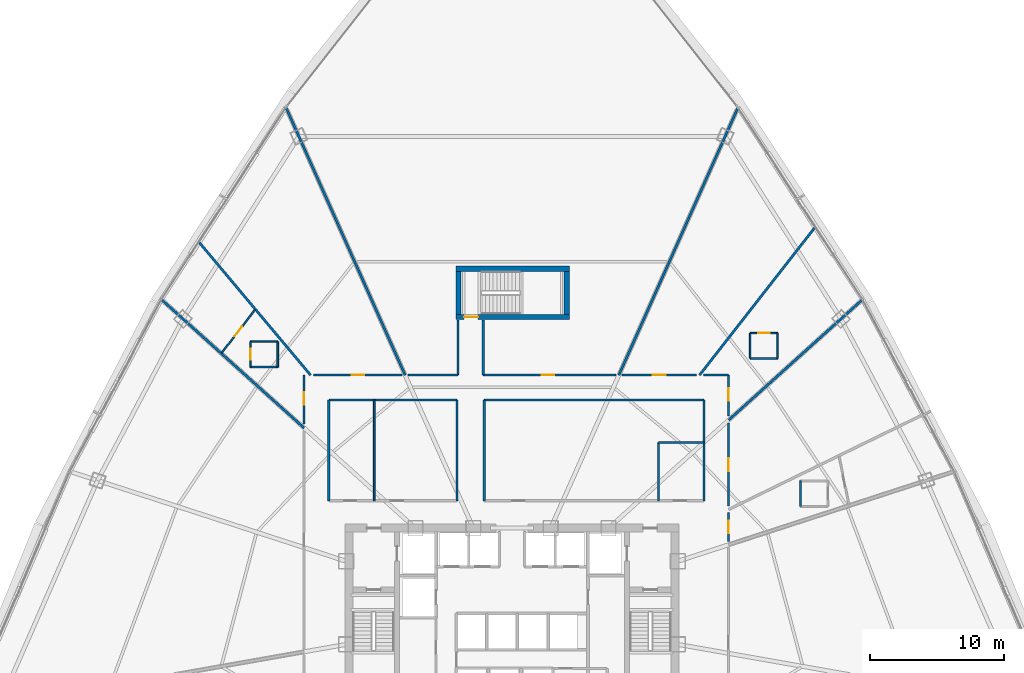
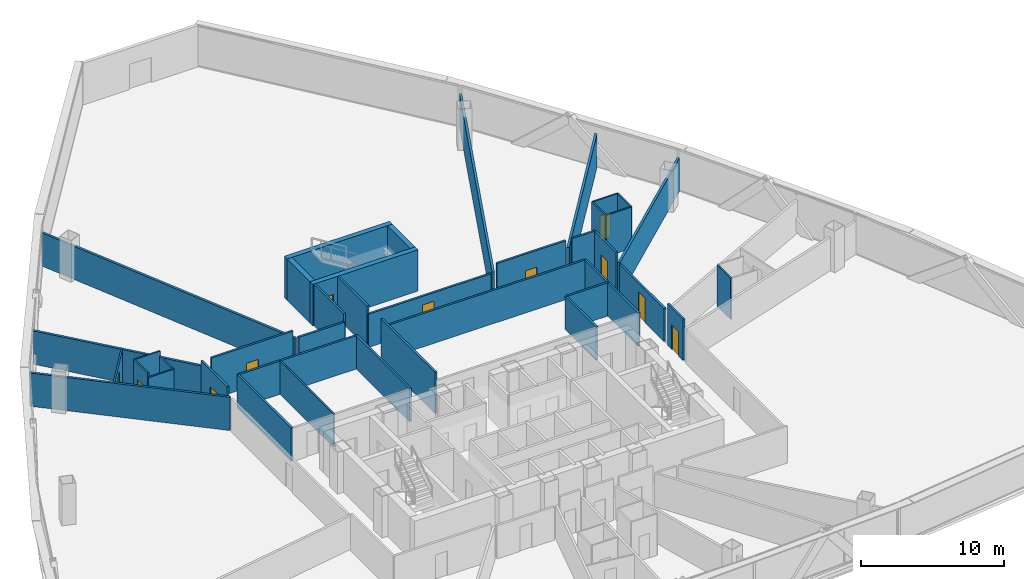
# One storey, part 31 of 37: 40 walls, 11 doors, 11 openings.
"""IFC4 building model written with IfcOpenShell, lengths in metres."""

from ifc_helpers import new_model, si_unit, direction, frame, frame_2d, origin, origin_with_axes, place, context, subcontext, project, spatial, rectangle, extrude, source, transform, mapped, material, layer, layer_set, type_object, element, fill, save


model = new_model("IFC4")

# Units and contexts
model_context = context("Model", 3, precision=1e-05, world=origin(), true_north=direction((0.0, 1.0)))
body_context = subcontext(model_context, "Body", "Model", "MODEL_VIEW")
ifc_project = project(units=[si_unit("LENGTHUNIT", "METRE"), si_unit("AREAUNIT", "SQUARE_METRE"), si_unit("VOLUMEUNIT", "CUBIC_METRE"), si_unit("PLANEANGLEUNIT", "RADIAN"), si_unit("MASSUNIT", "GRAM", prefix="KILO"), si_unit("THERMODYNAMICTEMPERATUREUNIT", "KELVIN"), si_unit("POWERUNIT", "WATT")], contexts=[model_context])

# Site, building, storey
site_placement = place(None, origin())
site = spatial("IfcSite", under=ifc_project, at=site_placement, CompositionType="ELEMENT")
building_placement = place(site_placement, origin())
building = spatial("IfcBuilding", under=site, at=building_placement, Name="Yunzhuo Pagoda Commons", CompositionType="ELEMENT")
storey_placement = place(building_placement, frame((0.0, 0.0, 84.97998046875)))
storey = spatial("IfcBuildingStorey", under=building, at=storey_placement, Name="L21", CompositionType="ELEMENT", Elevation=84.97998046875)

# Walls
ifc_material_1 = material(Name="Gypsum plasterboard on acoustic stud")
ifc_layer_1 = layer(ifc_material_1, 0.159912109375)
ifc_layer_set_1 = layer_set([ifc_layer_1], Name="Gypsum plasterboard on acoustic stud")
wall_type_1 = type_object("IfcWallType", Name="W-COR1 Tower Rated Corridor Wall 160", PredefinedType="PARTITIONING", material=ifc_layer_set_1)
wall_1_placement = place(storey_placement, frame((34.300048828125, 49.800048828125, 0.0), z_axis=(0.0, 0.0, 1.0), x_axis=(1.0, 0.0, 0.0)))
element("IfcWall", 1, at=wall_1_placement, inside=storey, type_object=wall_type_1, Name="L21 interior wall IW-L21-ISLWN", PredefinedType="PARTITIONING", context=body_context, shape_type="SweptSolid", body=[
    extrude(rectangle(XDim=9.579833984375, YDim=0.159912109375, at=frame_2d((4.7900390625, 0.0))), origin(), (0.0, 0.0, 1.0), 2.840087890625),
])
for number, where, z_axis, x_axis, name in (
    (2, (34.300048828125, 42.25, 0.0), (0.0, 0.0, 1.0), (0.0, 1.0, 0.0), "L21 interior wall IW-L21-ISLWW"),
    (3, (43.8798828125, 42.25, 0.0), (0.0, 0.0, 1.0), (0.0, 1.0, 0.0), "L21 interior wall IW-L21-ISLWE"),
):
    element("IfcWall", number, at=place(storey_placement, frame(where, z_axis=z_axis, x_axis=x_axis)), inside=storey, type_object=wall_type_1, Name=name, PredefinedType="PARTITIONING", context=body_context, shape_type="SweptSolid", body=[
        extrude(rectangle(XDim=7.550048828125, YDim=0.159912109375, at=frame_2d((3.77490234375, 0.0))), origin(), (0.0, 0.0, 1.0), 2.840087890625),
    ])
wall_2_placement = place(storey_placement, frame((45.919921875, 49.800048828125, 0.0), z_axis=(0.0, 0.0, 1.0), x_axis=(1.0, 0.0, 0.0)))
element("IfcWall", 4, at=wall_2_placement, inside=storey, type_object=wall_type_1, Name="L21 interior wall IW-L21-ISLEN", PredefinedType="PARTITIONING", context=body_context, shape_type="SweptSolid", body=[
    extrude(rectangle(XDim=16.43017578125, YDim=0.159912109375, at=frame_2d((8.215087890625, 0.0))), origin(), (0.0, 0.0, 1.0), 2.840087890625),
])
wall_3_placement = place(storey_placement, frame((45.919921875, 42.25, 0.0), z_axis=(0.0, 0.0, 1.0), x_axis=(0.0, 1.0, 0.0)))
element("IfcWall", 5, at=wall_3_placement, inside=storey, type_object=wall_type_1, Name="L21 interior wall IW-L21-ISLEW", PredefinedType="PARTITIONING", context=body_context, shape_type="SweptSolid", body=[
    extrude(rectangle(XDim=7.550048828125, YDim=0.159912109375, at=frame_2d((3.77490234375, 0.0))), origin(), (0.0, 0.0, 1.0), 3.5400390625),
])
wall_4_placement = place(storey_placement, frame((62.35009765625, 42.25, 0.0), z_axis=(0.0, 0.0, 1.0), x_axis=(0.0, 1.0, 0.0)))
element("IfcWall", 6, at=wall_4_placement, inside=storey, type_object=wall_type_1, Name="L21 interior wall IW-L21-ISLEE", PredefinedType="PARTITIONING", context=body_context, shape_type="SweptSolid", body=[
    extrude(rectangle(XDim=7.550048828125, YDim=0.159912109375, at=frame_2d((3.77490234375, 0.0))), origin(), (0.0, 0.0, 1.0), 2.840087890625),
])
wall_5_placement = place(storey_placement, frame((58.949951171875, 42.25, 0.0), z_axis=(0.0, 0.0, 1.0), x_axis=(0.0, 1.0, 0.0)))
element("IfcWall", 7, at=wall_5_placement, inside=storey, type_object=wall_type_1, Name="L21 interior wall IW-L21-ISL2W", PredefinedType="PARTITIONING", context=body_context, shape_type="SweptSolid", body=[
    extrude(rectangle(XDim=4.35009765625, YDim=0.159912109375, at=frame_2d((2.175048828125, 0.0))), origin(), (0.0, 0.0, 1.0), 2.840087890625),
])
wall_6_placement = place(storey_placement, frame((58.949951171875, 46.60009765625, 0.0), z_axis=(0.0, 0.0, 1.0), x_axis=(1.0, 0.0, 0.0)))
element("IfcWall", 8, at=wall_6_placement, inside=storey, type_object=wall_type_1, Name="L21 interior wall IW-L21-ISL2N", PredefinedType="PARTITIONING", context=body_context, shape_type="SweptSolid", body=[
    extrude(rectangle(XDim=3.400146484375, YDim=0.159912109375, at=frame_2d((1.7001953125, 0.0))), origin(), (0.0, 0.0, 1.0), 2.840087890625),
])

# Wall, opening, door
wall_7_placement = place(storey_placement, frame((32.449951171875, 47.997314453125, 0.0), z_axis=(0.0, 0.0, 1.0), x_axis=(0.0, 1.0, 0.0)))
wall_7 = element("IfcWall", 9, at=wall_7_placement, inside=storey, type_object=wall_type_1, Name="L21 interior wall IW-L21-CWL03", PredefinedType="PARTITIONING", context=body_context, shape_type="SweptSolid", body=[
    extrude(rectangle(XDim=3.652587890625, YDim=0.159912109375, at=frame_2d((1.826171875, 0.0))), origin(), (0.0, 0.0, 1.0), 3.5400390625),
])
opening_1_placement = place(wall_7_placement, frame((1.433349609375, 0.0, 0.0)))
opening_1 = element("IfcOpeningElement", 10, at=opening_1_placement, cuts=wall_7, Name="Opening D-06", PredefinedType="OPENING", context=body_context, shape_type="SweptSolid", body=[
    extrude(rectangle(XDim=0.949951171875, YDim=2.10009765625, at=frame_2d((0.47509765625, 1.050048828125))), frame((0.0, 0.08984375, 0.0), z_axis=(0.0, -1.0, 0.0), x_axis=(1.0, 0.0, 0.0)), (0.0, 0.0, 1.0), 0.179931640625),
])
ifc_material_2 = material(Name="Galvanized fire-resisting metal leaf")
door_type_1 = type_object("IfcDoorType", Name="D-06 Co-Living Suite Entrance Fire Door 950x2100", OperationType="NOTDEFINED", PredefinedType="DOOR", material=ifc_material_2)
shared_shape_1 = source(origin(), body_context, "Body", "SweptSolid", [
    extrude(rectangle(XDim=0.949951171875, YDim=2.10009765625, at=frame_2d((0.47509765625, 1.050048828125))), frame((0.0, 0.02490234375, 0.0), z_axis=(0.0, -1.0, 0.0), x_axis=(1.0, 0.0, 0.0)), (0.0, 0.0, 1.0), 0.050048828125),
])
door_1_placement = place(opening_1_placement, origin_with_axes())
door_1 = element("IfcDoor", 11, at=door_1_placement, inside=storey, type_object=door_type_1, Name="L21 unit 07 entrance door", OperationType="SINGLE_SWING_LEFT", OverallHeight=2.10009765625, OverallWidth=0.949951171875, PredefinedType="DOOR", context=body_context, shape_type="MappedRepresentation", body=[
    mapped(shared_shape_1, transform((0.0, 0.0, 0.0), scale=1.0)),
])
fill(opening_1, door_1)

wall_8_placement = place(storey_placement, frame((33.158203125, 51.64990234375, 0.0), z_axis=(0.0, 0.0, 1.0), x_axis=(1.0, 0.0, 0.0)))
wall_8 = element("IfcWall", 12, at=wall_8_placement, inside=storey, type_object=wall_type_1, Name="L21 interior wall IW-L21-CWL04", PredefinedType="PARTITIONING", context=body_context, shape_type="SweptSolid", body=[
    extrude(rectangle(XDim=6.609130859375, YDim=0.159912109375, at=frame_2d((3.3046875, 0.0))), origin(), (0.0, 0.0, 1.0), 3.5400390625),
])
opening_2_placement = place(wall_8_placement, frame((2.840087890625, 0.0, 0.0)))
opening_2 = element("IfcOpeningElement", 13, at=opening_2_placement, cuts=wall_8, Name="Opening D-06", PredefinedType="OPENING", context=body_context, shape_type="SweptSolid", body=[
    extrude(rectangle(XDim=0.949951171875, YDim=2.10009765625, at=frame_2d((0.47509765625, 1.050048828125))), frame((0.0, 0.08984375, 0.0), z_axis=(0.0, -1.0, 0.0), x_axis=(1.0, 0.0, 0.0)), (0.0, 0.0, 1.0), 0.179931640625),
])
door_2_placement = place(opening_2_placement, origin_with_axes())
door_2 = element("IfcDoor", 14, at=door_2_placement, inside=storey, type_object=door_type_1, Name="L21 unit 06 entrance door", OperationType="SINGLE_SWING_RIGHT", OverallHeight=2.10009765625, OverallWidth=0.949951171875, PredefinedType="DOOR", context=body_context, shape_type="MappedRepresentation", body=[
    mapped(shared_shape_1, transform((0.0, 0.0, 0.0), scale=1.0)),
])
fill(opening_2, door_2)

# Walls
wall_9_placement = place(storey_placement, frame((40.227783203125, 51.64990234375, 0.0), z_axis=(0.0, 0.0, 1.0), x_axis=(1.0, 0.0, 0.0)))
element("IfcWall", 15, at=wall_9_placement, inside=storey, type_object=wall_type_1, Name="L21 interior wall IW-L21-CWL05", PredefinedType="PARTITIONING", context=body_context, shape_type="SweptSolid", body=[
    extrude(rectangle(XDim=3.72216796875, YDim=0.159912109375, at=frame_2d((1.861083984375, 0.0))), origin(), (0.0, 0.0, 1.0), 2.840087890625),
])
for number, where, z_axis, x_axis, name in (
    (16, (43.949951171875, 51.64990234375, 0.0), (0.0, 0.0, 1.0), (0.0, 1.0, 0.0), "L21 interior wall IW-L21-CWL06"),
    (17, (45.85009765625, 55.780029296875, 0.0), (0.0, 0.0, 1.0), (0.0, -1.0, 0.0), "L21 interior wall IW-L21-CWL07"),
):
    element("IfcWall", number, at=place(storey_placement, frame(where, z_axis=z_axis, x_axis=x_axis)), inside=storey, type_object=wall_type_1, Name=name, PredefinedType="PARTITIONING", context=body_context, shape_type="SweptSolid", body=[
        extrude(rectangle(XDim=4.130126953125, YDim=0.159912109375, at=frame_2d((2.06494140625, 0.0))), origin(), (0.0, 0.0, 1.0), 3.5400390625),
    ])

# Wall, opening, door
wall_10_placement = place(storey_placement, frame((45.85009765625, 51.64990234375, 0.0), z_axis=(0.0, 0.0, 1.0), x_axis=(1.0, 0.0, 0.0)))
wall_10 = element("IfcWall", 18, at=wall_10_placement, inside=storey, type_object=wall_type_1, Name="L21 interior wall IW-L21-CWL08", PredefinedType="PARTITIONING", context=body_context, shape_type="SweptSolid", body=[
    extrude(rectangle(XDim=9.922119140625, YDim=0.159912109375, at=frame_2d((4.9609375, 0.0))), origin(), (0.0, 0.0, 1.0), 2.840087890625),
])
opening_3_placement = place(wall_10_placement, frame((4.365966796875, 0.0, 0.0)))
opening_3 = element("IfcOpeningElement", 19, at=opening_3_placement, cuts=wall_10, Name="Opening D-06", PredefinedType="OPENING", context=body_context, shape_type="SweptSolid", body=[
    extrude(rectangle(XDim=0.949951171875, YDim=2.10009765625, at=frame_2d((0.47509765625, 1.050048828125))), frame((0.0, 0.08984375, 0.0), z_axis=(0.0, -1.0, 0.0), x_axis=(1.0, 0.0, 0.0)), (0.0, 0.0, 1.0), 0.179931640625),
])
door_3_placement = place(opening_3_placement, origin_with_axes())
door_3 = element("IfcDoor", 20, at=door_3_placement, inside=storey, type_object=door_type_1, Name="L21 unit 05 entrance door", OperationType="SINGLE_SWING_LEFT", OverallHeight=2.10009765625, OverallWidth=0.949951171875, PredefinedType="DOOR", context=body_context, shape_type="MappedRepresentation", body=[
    mapped(shared_shape_1, transform((0.0, 0.0, 0.0), scale=1.0)),
])
fill(opening_3, door_3)

wall_11_placement = place(storey_placement, frame((56.232666015625, 51.64990234375, 0.0), z_axis=(0.0, 0.0, 1.0), x_axis=(1.0, 0.0, 0.0)))
wall_11 = element("IfcWall", 21, at=wall_11_placement, inside=storey, type_object=wall_type_1, Name="L21 interior wall IW-L21-CWL09", PredefinedType="PARTITIONING", context=body_context, shape_type="SweptSolid", body=[
    extrude(rectangle(XDim=5.571533203125, YDim=0.159912109375, at=frame_2d((2.78564453125, 0.0))), origin(), (0.0, 0.0, 1.0), 3.5400390625),
])
opening_4_placement = place(wall_11_placement, frame((2.30029296875, 0.0, 0.0)))
opening_4 = element("IfcOpeningElement", 22, at=opening_4_placement, cuts=wall_11, Name="Opening D-06", PredefinedType="OPENING", context=body_context, shape_type="SweptSolid", body=[
    extrude(rectangle(XDim=0.949951171875, YDim=2.10009765625, at=frame_2d((0.47509765625, 1.050048828125))), frame((0.0, 0.08984375, 0.0), z_axis=(0.0, -1.0, 0.0), x_axis=(1.0, 0.0, 0.0)), (0.0, 0.0, 1.0), 0.179931640625),
])
door_4_placement = place(opening_4_placement, origin_with_axes())
door_4 = element("IfcDoor", 23, at=door_4_placement, inside=storey, type_object=door_type_1, Name="L21 unit 04 entrance door", OperationType="SINGLE_SWING_RIGHT", OverallHeight=2.10009765625, OverallWidth=0.949951171875, PredefinedType="DOOR", context=body_context, shape_type="MappedRepresentation", body=[
    mapped(shared_shape_1, transform((0.0, 0.0, 0.0), scale=1.0)),
])
fill(opening_4, door_4)

# Wall
wall_12_placement = place(storey_placement, frame((62.30322265625, 51.64990234375, 0.0), z_axis=(0.0, 0.0, 1.0), x_axis=(1.0, 0.0, 0.0)))
element("IfcWall", 24, at=wall_12_placement, inside=storey, type_object=wall_type_1, Name="L21 interior wall IW-L21-CWL10", PredefinedType="PARTITIONING", context=body_context, shape_type="SweptSolid", body=[
    extrude(rectangle(XDim=1.896728515625, YDim=0.159912109375, at=frame_2d((0.9482421875, 0.0))), origin(), (0.0, 0.0, 1.0), 3.5400390625),
])

# Wall, opening, door
wall_13_placement = place(storey_placement, frame((64.199951171875, 51.64990234375, 0.0), z_axis=(0.0, 0.0, 1.0), x_axis=(0.0, -1.0, 0.0)))
wall_13 = element("IfcWall", 25, at=wall_13_placement, inside=storey, type_object=wall_type_1, Name="L21 interior wall IW-L21-CWL11", PredefinedType="PARTITIONING", context=body_context, shape_type="SweptSolid", body=[
    extrude(rectangle(XDim=3.0673828125, YDim=0.159912109375, at=frame_2d((1.53369140625, 0.0))), origin(), (0.0, 0.0, 1.0), 3.5400390625),
])
opening_5_placement = place(wall_13_placement, frame((0.976806640625, 0.0, 0.0)))
opening_5 = element("IfcOpeningElement", 26, at=opening_5_placement, cuts=wall_13, Name="Opening D-06", PredefinedType="OPENING", context=body_context, shape_type="SweptSolid", body=[
    extrude(rectangle(XDim=0.949951171875, YDim=2.10009765625, at=frame_2d((0.47509765625, 1.050048828125))), frame((0.0, 0.08984375, 0.0), z_axis=(0.0, -1.0, 0.0), x_axis=(1.0, 0.0, 0.0)), (0.0, 0.0, 1.0), 0.179931640625),
])
door_5_placement = place(opening_5_placement, origin_with_axes())
door_5 = element("IfcDoor", 27, at=door_5_placement, inside=storey, type_object=door_type_1, Name="L21 unit 03 entrance door", OperationType="SINGLE_SWING_LEFT", OverallHeight=2.10009765625, OverallWidth=0.949951171875, PredefinedType="DOOR", context=body_context, shape_type="MappedRepresentation", body=[
    mapped(shared_shape_1, transform((0.0, 0.0, 0.0), scale=1.0)),
])
fill(opening_5, door_5)

wall_14_placement = place(storey_placement, frame((64.199951171875, 48.06689453125, 0.0), z_axis=(0.0, 0.0, 1.0), x_axis=(0.0, -1.0, 0.0)))
wall_14 = element("IfcWall", 28, at=wall_14_placement, inside=storey, type_object=wall_type_1, Name="L21 interior wall IW-L21-CWL12", PredefinedType="PARTITIONING", context=body_context, shape_type="SweptSolid", body=[
    extrude(rectangle(XDim=6.220703125, YDim=0.159912109375, at=frame_2d((3.1103515625, 0.0))), origin(), (0.0, 0.0, 1.0), 2.840087890625),
])
opening_6_placement = place(wall_14_placement, frame((2.64794921875, 0.0, 0.0)))
opening_6 = element("IfcOpeningElement", 29, at=opening_6_placement, cuts=wall_14, Name="Opening D-06", PredefinedType="OPENING", context=body_context, shape_type="SweptSolid", body=[
    extrude(rectangle(XDim=0.949951171875, YDim=2.10009765625, at=frame_2d((0.47509765625, 1.050048828125))), frame((0.0, 0.08984375, 0.0), z_axis=(0.0, -1.0, 0.0), x_axis=(1.0, 0.0, 0.0)), (0.0, 0.0, 1.0), 0.179931640625),
])
door_6_placement = place(opening_6_placement, origin_with_axes())
door_6 = element("IfcDoor", 30, at=door_6_placement, inside=storey, type_object=door_type_1, Name="L21 unit 02 entrance door", OperationType="SINGLE_SWING_RIGHT", OverallHeight=2.10009765625, OverallWidth=0.949951171875, PredefinedType="DOOR", context=body_context, shape_type="MappedRepresentation", body=[
    mapped(shared_shape_1, transform((0.0, 0.0, 0.0), scale=1.0)),
])
fill(opening_6, door_6)

wall_15_placement = place(storey_placement, frame((64.199951171875, 41.381591796875, 0.0), z_axis=(0.0, 0.0, 1.0), x_axis=(0.0, -1.0, 0.0)))
wall_15 = element("IfcWall", 31, at=wall_15_placement, inside=storey, type_object=wall_type_1, Name="L21 interior wall IW-L21-CWL13", PredefinedType="PARTITIONING", context=body_context, shape_type="SweptSolid", body=[
    extrude(rectangle(XDim=2.1865234375, YDim=0.159912109375, at=frame_2d((1.09326171875, 0.0))), origin(), (0.0, 0.0, 1.0), 3.5400390625),
])
opening_7_placement = place(wall_15_placement, frame((0.6240234375, 0.0, 0.0)))
opening_7 = element("IfcOpeningElement", 32, at=opening_7_placement, cuts=wall_15, Name="Opening D-06", PredefinedType="OPENING", context=body_context, shape_type="SweptSolid", body=[
    extrude(rectangle(XDim=0.949951171875, YDim=2.10009765625, at=frame_2d((0.47509765625, 1.050048828125))), frame((0.0, 0.08984375, 0.0), z_axis=(0.0, -1.0, 0.0), x_axis=(1.0, 0.0, 0.0)), (0.0, 0.0, 1.0), 0.179931640625),
])
door_7_placement = place(opening_7_placement, origin_with_axes())
door_7 = element("IfcDoor", 33, at=door_7_placement, inside=storey, type_object=door_type_1, Name="L21 unit 01 entrance door", OperationType="SINGLE_SWING_LEFT", OverallHeight=2.10009765625, OverallWidth=0.949951171875, PredefinedType="DOOR", context=body_context, shape_type="MappedRepresentation", body=[
    mapped(shared_shape_1, transform((0.0, 0.0, 0.0), scale=1.0)),
])
fill(opening_7, door_7)

# Walls
ifc_layer_2 = layer(ifc_material_1, 0.1201171875)
ifc_layer_set_2 = layer_set([ifc_layer_2], Name="Gypsum plasterboard on acoustic stud")
wall_type_2 = type_object("IfcWallType", Name="W-PRT1 Suite & Bathroom Partition 120", PredefinedType="PARTITIONING", material=ifc_layer_set_2)
wall_16_placement = place(storey_placement, frame((37.699951171875, 42.25, 0.0), z_axis=(0.0, 0.0, 1.0), x_axis=(0.0, 1.0, 0.0)))
element("IfcWall", 34, at=wall_16_placement, inside=storey, type_object=wall_type_2, Name="L21 interior wall IW-L21-ISLW1", PredefinedType="PARTITIONING", context=body_context, shape_type="SweptSolid", body=[
    extrude(rectangle(XDim=7.550048828125, YDim=0.1201171875, at=frame_2d((3.77490234375, 0.0))), origin(), (0.0, 0.0, 1.0), 2.840087890625),
])
wall_17_placement = place(storey_placement, frame((69.571044921875, 43.73388671875, 0.0), z_axis=(0.0, 0.0, 1.0), x_axis=(0.0, -1.0, 0.0)))
element("IfcWall", 35, at=wall_17_placement, inside=storey, type_object=wall_type_2, Name="L21 interior wall IW-L21-B01W", PredefinedType="PARTITIONING", context=body_context, shape_type="SweptSolid", body=[
    extrude(rectangle(XDim=1.89990234375, YDim=0.1201171875, at=frame_2d((0.949951171875, 0.0))), origin(), (0.0, 0.0, 1.0), 3.5400390625),
])
wall_18_placement = place(storey_placement, frame((65.80908203125, 52.89208984375, 0.0), z_axis=(0.0, 0.0, 1.0), x_axis=(1.0, 0.0, 0.0)))
element("IfcWall", 36, at=wall_18_placement, inside=storey, type_object=wall_type_2, Name="L21 interior wall IW-L21-B03S", PredefinedType="PARTITIONING", context=body_context, shape_type="SweptSolid", body=[
    extrude(rectangle(XDim=2.0498046875, YDim=0.1201171875, at=frame_2d((1.02490234375, 0.0))), origin(), (0.0, 0.0, 1.0), 3.5400390625),
])
wall_19_placement = place(storey_placement, frame((67.85888671875, 52.89208984375, 0.0), z_axis=(0.0, 0.0, 1.0), x_axis=(0.0, 1.0, 0.0)))
element("IfcWall", 37, at=wall_19_placement, inside=storey, type_object=wall_type_2, Name="L21 interior wall IW-L21-B03E", PredefinedType="PARTITIONING", context=body_context, shape_type="SweptSolid", body=[
    extrude(rectangle(XDim=1.89990234375, YDim=0.1201171875, at=frame_2d((0.949951171875, 0.0))), origin(), (0.0, 0.0, 1.0), 3.5400390625),
])

# Wall, opening, door
wall_20_placement = place(storey_placement, frame((67.85888671875, 54.7919921875, 0.0), z_axis=(0.0, 0.0, 1.0), x_axis=(-1.0, 0.0, 0.0)))
wall_20 = element("IfcWall", 38, at=wall_20_placement, inside=storey, type_object=wall_type_2, Name="L21 interior wall IW-L21-B03N", PredefinedType="PARTITIONING", context=body_context, shape_type="SweptSolid", body=[
    extrude(rectangle(XDim=2.0498046875, YDim=0.1201171875, at=frame_2d((1.02490234375, 0.0))), origin(), (0.0, 0.0, 1.0), 3.5400390625),
])
opening_8_placement = place(wall_20_placement, frame((0.60009765625, 0.0, 0.0)))
opening_8 = element("IfcOpeningElement", 39, at=opening_8_placement, cuts=wall_20, Name="Opening D-05", PredefinedType="OPENING", context=body_context, shape_type="SweptSolid", body=[
    extrude(rectangle(XDim=0.85009765625, YDim=2.10009765625, at=frame_2d((0.425048828125, 1.050048828125))), frame((0.0, 0.070068359375, 0.0), z_axis=(0.0, -1.0, 0.0), x_axis=(1.0, 0.0, 0.0)), (0.0, 0.0, 1.0), 0.14013671875),
])
ifc_material_3 = material(Name="Powder-coated aluminium and timber acoustic leaf", Category="wood")
door_type_2 = type_object("IfcDoorType", Name="D-05 En-Suite Bathroom Door 850x2100", OperationType="NOTDEFINED", PredefinedType="DOOR", material=ifc_material_3)
shared_shape_2 = source(origin(), body_context, "Body", "SweptSolid", [
    extrude(rectangle(XDim=0.85009765625, YDim=2.10009765625, at=frame_2d((0.425048828125, 1.050048828125))), frame((0.0, 0.02490234375, 0.0), z_axis=(0.0, -1.0, 0.0), x_axis=(1.0, 0.0, 0.0)), (0.0, 0.0, 1.0), 0.050048828125),
])
door_8_placement = place(opening_8_placement, frame((0.85009765625, 0.0, 0.0), z_axis=(0.0, 0.0, 1.0), x_axis=(-1.0, 0.0, 0.0)))
door_8 = element("IfcDoor", 40, at=door_8_placement, inside=storey, type_object=door_type_2, Name="L21 unit 03 bathroom door", OperationType="SINGLE_SWING_LEFT", OverallHeight=2.10009765625, OverallWidth=0.85009765625, PredefinedType="DOOR", context=body_context, shape_type="MappedRepresentation", body=[
    mapped(shared_shape_2, transform((0.0, 0.0, 0.0), scale=1.0)),
])
fill(opening_8, door_8)

# Walls
wall_21_placement = place(storey_placement, frame((65.80908203125, 54.7919921875, 0.0), z_axis=(0.0, 0.0, 1.0), x_axis=(0.0, -1.0, 0.0)))
element("IfcWall", 41, at=wall_21_placement, inside=storey, type_object=wall_type_2, Name="L21 interior wall IW-L21-B03W", PredefinedType="PARTITIONING", context=body_context, shape_type="SweptSolid", body=[
    extrude(rectangle(XDim=1.89990234375, YDim=0.1201171875, at=frame_2d((0.949951171875, 0.0))), origin(), (0.0, 0.0, 1.0), 3.5400390625),
])
wall_22_placement = place(storey_placement, frame((28.43408203125, 52.2548828125, 0.0), z_axis=(0.0, 0.0, 1.0), x_axis=(1.0, 0.0, 0.0)))
element("IfcWall", 42, at=wall_22_placement, inside=storey, type_object=wall_type_2, Name="L21 interior wall IW-L21-B07S", PredefinedType="PARTITIONING", context=body_context, shape_type="SweptSolid", body=[
    extrude(rectangle(XDim=2.0498046875, YDim=0.1201171875, at=frame_2d((1.02490234375, 0.0))), origin(), (0.0, 0.0, 1.0), 3.14013671875),
])
wall_23_placement = place(storey_placement, frame((30.48388671875, 52.2548828125, 0.0), z_axis=(0.0, 0.0, 1.0), x_axis=(0.0, 1.0, 0.0)))
element("IfcWall", 43, at=wall_23_placement, inside=storey, type_object=wall_type_2, Name="L21 interior wall IW-L21-B07E", PredefinedType="PARTITIONING", context=body_context, shape_type="SweptSolid", body=[
    extrude(rectangle(XDim=1.900146484375, YDim=0.1201171875, at=frame_2d((0.9501953125, 0.0))), origin(), (0.0, 0.0, 1.0), 3.14013671875),
])
wall_24_placement = place(storey_placement, frame((30.48388671875, 54.155029296875, 0.0), z_axis=(0.0, 0.0, 1.0), x_axis=(-1.0, 0.0, 0.0)))
element("IfcWall", 44, at=wall_24_placement, inside=storey, type_object=wall_type_2, Name="L21 interior wall IW-L21-B07N", PredefinedType="PARTITIONING", context=body_context, shape_type="SweptSolid", body=[
    extrude(rectangle(XDim=2.0498046875, YDim=0.1201171875, at=frame_2d((1.02490234375, 0.0))), origin(), (0.0, 0.0, 1.0), 3.5400390625),
])

# Wall, opening, door
wall_25_placement = place(storey_placement, frame((28.43408203125, 54.155029296875, 0.0), z_axis=(0.0, 0.0, 1.0), x_axis=(0.0, -1.0, 0.0)))
wall_25 = element("IfcWall", 45, at=wall_25_placement, inside=storey, type_object=wall_type_2, Name="L21 interior wall IW-L21-B07W", PredefinedType="PARTITIONING", context=body_context, shape_type="SweptSolid", body=[
    extrude(rectangle(XDim=1.900146484375, YDim=0.1201171875, at=frame_2d((0.9501953125, 0.0))), origin(), (0.0, 0.0, 1.0), 3.5400390625),
])
opening_9_placement = place(wall_25_placement, frame((0.52490234375, 0.0, 0.0)))
opening_9 = element("IfcOpeningElement", 46, at=opening_9_placement, cuts=wall_25, Name="Opening D-05", PredefinedType="OPENING", context=body_context, shape_type="SweptSolid", body=[
    extrude(rectangle(XDim=0.85009765625, YDim=2.10009765625, at=frame_2d((0.425048828125, 1.050048828125))), frame((0.0, 0.070068359375, 0.0), z_axis=(0.0, -1.0, 0.0), x_axis=(1.0, 0.0, 0.0)), (0.0, 0.0, 1.0), 0.14013671875),
])
door_9_placement = place(opening_9_placement, frame((0.85009765625, 0.0, 0.0), z_axis=(0.0, 0.0, 1.0), x_axis=(-1.0, 0.0, 0.0)))
door_9 = element("IfcDoor", 47, at=door_9_placement, inside=storey, type_object=door_type_2, Name="L21 unit 07 bathroom door", OperationType="SINGLE_SWING_LEFT", OverallHeight=2.10009765625, OverallWidth=0.85009765625, PredefinedType="DOOR", context=body_context, shape_type="MappedRepresentation", body=[
    mapped(shared_shape_2, transform((0.0, 0.0, 0.0), scale=1.0)),
])
fill(opening_9, door_9)

wall_26_placement = place(storey_placement, frame((28.772216796875, 56.521484375, 0.0), z_axis=(0.0, 0.0, 1.0), x_axis=(-0.611610665825, -0.791158892669, 0.0)))
wall_26 = element("IfcWall", 48, at=wall_26_placement, inside=storey, type_object=wall_type_2, Name="L21 interior wall IW-L21-CLB07", PredefinedType="PARTITIONING", context=body_context, shape_type="SweptSolid", body=[
    extrude(rectangle(XDim=4.045166015625, YDim=0.1201171875, at=frame_2d((2.0224609375, 0.0))), origin(), (0.0, 0.0, 1.0), 2.840087890625),
])
opening_10_placement = place(wall_26_placement, frame((1.5625, 0.0, 0.0)))
opening_10 = element("IfcOpeningElement", 49, at=opening_10_placement, cuts=wall_26, Name="Opening D-04", PredefinedType="OPENING", context=body_context, shape_type="SweptSolid", body=[
    extrude(rectangle(XDim=0.919921875, YDim=2.10009765625, at=frame_2d((0.4599609375, 1.050048828125))), frame((0.0, 0.070068359375, 0.0), z_axis=(0.0, -1.0, 0.0), x_axis=(1.0, 0.0, 0.0)), (0.0, 0.0, 1.0), 0.14013671875),
])
door_type_3 = type_object("IfcDoorType", Name="D-04 Bedroom & Study Interior Door 920x2100", OperationType="NOTDEFINED", PredefinedType="DOOR", material=ifc_material_3)
shared_shape_3 = source(origin(), body_context, "Body", "SweptSolid", [
    extrude(rectangle(XDim=0.919921875, YDim=2.10009765625, at=frame_2d((0.4599609375, 1.050048828125))), frame((0.0, 0.02490234375, 0.0), z_axis=(0.0, -1.0, 0.0), x_axis=(1.0, 0.0, 0.0)), (0.0, 0.0, 1.0), 0.050048828125),
])
door_10_placement = place(opening_10_placement, origin_with_axes())
door_10 = element("IfcDoor", 50, at=door_10_placement, inside=storey, type_object=door_type_3, Name="L21 suite 07 bedroom door", OperationType="SINGLE_SWING_LEFT", OverallHeight=2.10009765625, OverallWidth=0.919921875, PredefinedType="DOOR", context=body_context, shape_type="MappedRepresentation", body=[
    mapped(shared_shape_3, transform((0.0, 0.0, 0.0), scale=1.0)),
])
fill(opening_10, door_10)

# Walls
ifc_layer_3 = layer(ifc_material_1, 0.179931640625)
ifc_layer_set_3 = layer_set([ifc_layer_3], Name="Gypsum plasterboard on acoustic stud")
wall_type_3 = type_object("IfcWallType", Name="W-PRT2 Acoustic Unit Demising Wall 180", PredefinedType="PARTITIONING", material=ifc_layer_set_3)
wall_27_placement = place(storey_placement, frame((64.199951171875, 48.28662109375, 0.0), z_axis=(0.0, 0.0, 1.0), x_axis=(0.743149168899, 0.669125782469, 0.0)))
element("IfcWall", 51, at=wall_27_placement, inside=storey, type_object=wall_type_3, Name="L21 interior wall IW-L21-RAD03", PredefinedType="PARTITIONING", context=body_context, shape_type="SweptSolid", body=[
    extrude(rectangle(XDim=13.48291015625, YDim=0.179931640625, at=frame_2d((6.741455078125, 0.0))), origin(), (0.0, 0.0, 1.0), 2.840087890625),
])
wall_28_placement = place(storey_placement, frame((62.024169921875, 51.64990234375, 0.0), z_axis=(0.0, 0.0, 1.0), x_axis=(0.615647406864, 0.788021744891, 0.0)))
element("IfcWall", 52, at=wall_28_placement, inside=storey, type_object=wall_type_3, Name="L21 interior wall IW-L21-RAD04", PredefinedType="PARTITIONING", context=body_context, shape_type="SweptSolid", body=[
    extrude(rectangle(XDim=14.079833984375, YDim=0.179931640625, at=frame_2d((7.0400390625, 0.0))), origin(), (0.0, 0.0, 1.0), 2.840087890625),
])
for number, where, z_axis, x_axis, name in (
    (53, (55.991943359375, 51.64990234375, 0.0), (0.0, 0.0, 1.0), (0.406733854264, 0.913546699296, 0.0), "L21 interior wall IW-L21-RAD05"),
    (54, (40.008056640625, 51.64990234375, 0.0), (0.0, 0.0, 1.0), (-0.406733854264, 0.913546699296, 0.0), "L21 interior wall IW-L21-RAD06"),
):
    element("IfcWall", number, at=place(storey_placement, frame(where, z_axis=z_axis, x_axis=x_axis)), inside=storey, type_object=wall_type_3, Name=name, PredefinedType="PARTITIONING", context=body_context, shape_type="SweptSolid", body=[
        extrude(rectangle(XDim=21.911376953125, YDim=0.179931640625, at=frame_2d((10.95556640625, 0.0))), origin(), (0.0, 0.0, 1.0), 2.840087890625),
    ])
wall_29_placement = place(storey_placement, frame((32.938232421875, 51.64990234375, 0.0), z_axis=(0.0, 0.0, 1.0), x_axis=(-0.642792408097, 0.766040416749, 0.0)))
element("IfcWall", 55, at=wall_29_placement, inside=storey, type_object=wall_type_3, Name="L21 interior wall IW-L21-RAD07", PredefinedType="PARTITIONING", context=body_context, shape_type="SweptSolid", body=[
    extrude(rectangle(XDim=13.010498046875, YDim=0.179931640625, at=frame_2d((6.50537109375, 0.0))), origin(), (0.0, 0.0, 1.0), 2.840087890625),
])
wall_30_placement = place(storey_placement, frame((32.449951171875, 47.701416015625, 0.0), z_axis=(0.0, 0.0, 1.0), x_axis=(-0.743147852162, 0.66912724487, 0.0)))
element("IfcWall", 56, at=wall_30_placement, inside=storey, type_object=wall_type_3, Name="L21 interior wall IW-L21-RAD08", PredefinedType="PARTITIONING", context=body_context, shape_type="SweptSolid", body=[
    extrude(rectangle(XDim=14.357421875, YDim=0.179931640625, at=frame_2d((7.1787109375, 0.0))), origin(), (0.0, 0.0, 1.0), 2.840087890625),
])
ifc_material_4 = material(Name="Concrete C60", Category="concrete")
ifc_layer_4 = layer(ifc_material_4, 0.39990234375)
ifc_layer_set_4 = layer_set([ifc_layer_4], Name="Concrete C60")
wall_type_4 = type_object("IfcWallType", Name="W-S01 Internal Core Shear Web 400", PredefinedType="SHEAR", material=ifc_layer_set_4)
wall_31_placement = place(storey_placement, frame((43.800048828125, 59.60009765625, 0.0), z_axis=(0.0, 0.0, 1.0), x_axis=(1.0, 0.0, 0.0)))
element("IfcWall", 57, at=wall_31_placement, inside=storey, type_object=wall_type_4, Name="L21 ST3 structural stair wall N", PredefinedType="SHEAR", context=body_context, shape_type="SweptSolid", body=[
    extrude(rectangle(XDim=8.5, YDim=0.39990234375, at=frame_2d((4.25, 0.0))), origin(), (0.0, 0.0, 1.0), 3.5400390625),
])

# Wall, opening, door
wall_32_placement = place(storey_placement, frame((43.800048828125, 56.0, 0.0), z_axis=(0.0, 0.0, 1.0), x_axis=(1.0, 0.0, 0.0)))
wall_32 = element("IfcWall", 58, at=wall_32_placement, inside=storey, type_object=wall_type_4, Name="L21 ST3 structural stair wall S", PredefinedType="SHEAR", context=body_context, shape_type="SweptSolid", body=[
    extrude(rectangle(XDim=8.5, YDim=0.39990234375, at=frame_2d((4.25, 0.0))), origin(), (0.0, 0.0, 1.0), 3.5400390625),
])
opening_11_placement = place(wall_32_placement, frame((0.6201171875, 0.0, 0.0)))
opening_11 = element("IfcOpeningElement", 59, at=opening_11_placement, cuts=wall_32, Name="Opening D-01", PredefinedType="OPENING", context=body_context, shape_type="SweptSolid", body=[
    extrude(rectangle(XDim=1.050048828125, YDim=2.10009765625, at=frame_2d((0.52490234375, 1.050048828125))), frame((0.0, 0.2099609375, 0.0), z_axis=(0.0, -1.0, 0.0), x_axis=(1.0, 0.0, 0.0)), (0.0, 0.0, 1.0), 0.419921875),
])
door_type_4 = type_object("IfcDoorType", Name="D-01 Smokeproof Stair Fire Door 1050x2100", OperationType="NOTDEFINED", PredefinedType="DOOR", material=ifc_material_2)
shared_shape_4 = source(origin(), body_context, "Body", "SweptSolid", [
    extrude(rectangle(XDim=1.050048828125, YDim=2.10009765625, at=frame_2d((0.52490234375, 1.050048828125))), frame((0.0, 0.02490234375, 0.0), z_axis=(0.0, -1.0, 0.0), x_axis=(1.0, 0.0, 0.0)), (0.0, 0.0, 1.0), 0.050048828125),
])
door_11_placement = place(opening_11_placement, frame((1.050048828125, 0.0, 0.0), z_axis=(0.0, 0.0, 1.0), x_axis=(-1.0, 0.0, 0.0)))
door_11 = element("IfcDoor", 60, at=door_11_placement, inside=storey, type_object=door_type_4, Name="L21 Stair ST3 fire door", OperationType="SINGLE_SWING_LEFT", OverallHeight=2.10009765625, OverallWidth=1.050048828125, PredefinedType="DOOR", context=body_context, shape_type="MappedRepresentation", body=[
    mapped(shared_shape_4, transform((0.0, 0.0, 0.0), scale=1.0)),
])
fill(opening_11, door_11)

# Walls
for number, where, z_axis, x_axis, name in (
    (61, (44.0, 56.199951171875, 0.0), (0.0, 0.0, 1.0), (0.0, 1.0, 0.0), "L21 ST3 structural stair wall W"),
    (62, (52.10009765625, 56.199951171875, 0.0), (0.0, 0.0, 1.0), (0.0, 1.0, 0.0), "L21 ST3 structural stair wall E"),
):
    element("IfcWall", number, at=place(storey_placement, frame(where, z_axis=z_axis, x_axis=x_axis)), inside=storey, type_object=wall_type_4, Name=name, PredefinedType="SHEAR", context=body_context, shape_type="SweptSolid", body=[
        extrude(rectangle(XDim=3.199951171875, YDim=0.39990234375, at=frame_2d((1.60009765625, 0.0))), origin(), (0.0, 0.0, 1.0), 3.5400390625),
    ])

save(model, "model.ifc")
